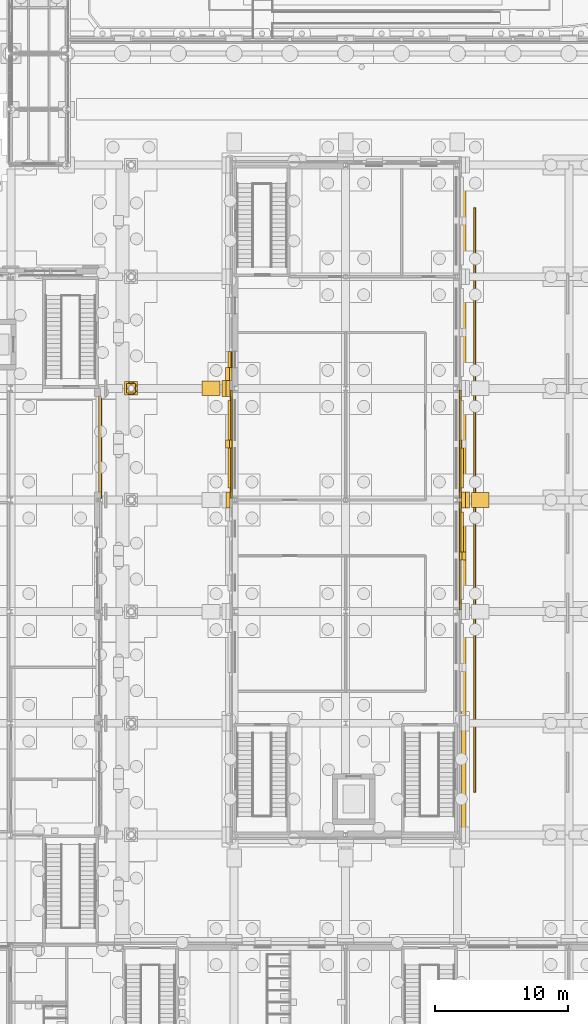
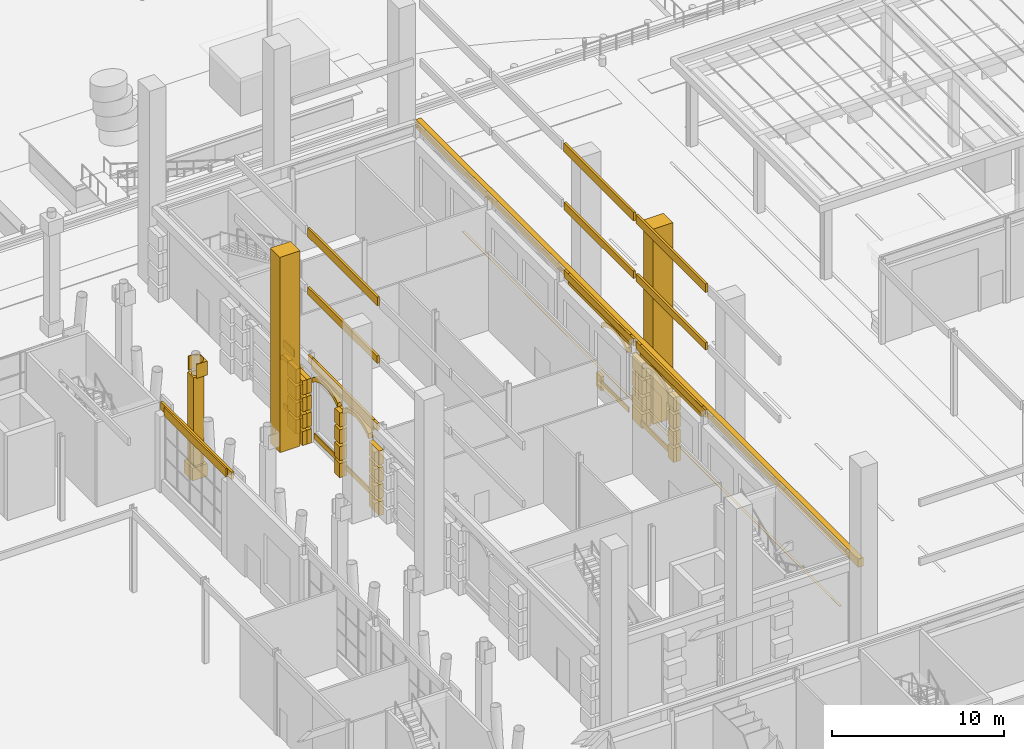
# One storey, part 153 of 222: 77 coverings.
"""IFC4 building model written with IfcOpenShell, lengths in metres."""

from ifc_helpers import new_model, si_unit, direction, frame, origin, origin_2d, place, context, subcontext, project, spatial, polyline, rectangle, outline, extrude, material, layer, layer_set, type_object, element, save


model = new_model("IFC4")

# Units and contexts
model_context = context("Model", 3, precision=1e-05, world=origin(), true_north=direction((0.0, 1.0)))
body_context = subcontext(model_context, "Body", "Model", "MODEL_VIEW")
ifc_project = project(units=[si_unit("LENGTHUNIT", "METRE"), si_unit("AREAUNIT", "SQUARE_METRE"), si_unit("VOLUMEUNIT", "CUBIC_METRE"), si_unit("PLANEANGLEUNIT", "RADIAN"), si_unit("MASSUNIT", "GRAM", prefix="KILO")], contexts=[model_context])

# Site, building, storey
site_placement = place(None, origin())
site = spatial("IfcSite", under=ifc_project, at=site_placement, CompositionType="ELEMENT")
building_placement = place(site_placement, origin())
building = spatial("IfcBuilding", under=site, at=building_placement, Name="Sava Quay Ferry Terminal", CompositionType="ELEMENT")
storey_placement = place(building_placement, origin())
storey = spatial("IfcBuildingStorey", under=building, at=storey_placement, Name="L00", CompositionType="ELEMENT", Elevation=0.0)

# Coverings
ifc_material_1 = material(Name="Limestone Mutalj", Category="masonry")
ifc_layer_1 = layer(ifc_material_1, 0.300048828125)
ifc_layer_set_1 = layer_set([ifc_layer_1], Name="Limestone Mutalj")
covering_type_1 = type_object("IfcCoveringType", Name="Arch band 280", PredefinedType="MOLDING", material=ifc_layer_set_1)
covering_1_placement = place(storey_placement, frame((109.64990234375, 80.10009765625, 4.5), z_axis=(1.0, 0.0, 0.0), x_axis=(0.0, 0.781923759715, 0.623374072281)))
element("IfcCovering", 1, at=covering_1_placement, inside=storey, type_object=covering_type_1, Name="Arch band", PredefinedType="MOLDING", context=body_context, shape_type="SweptSolid", body=[
    extrude(outline(polyline([(0.0, 0.0), (0.3834193343979185, -2.7755575615628914e-17), (0.7215244784021893, -0.05723109819999722), (1.025082280021732, -0.15779635007562864), (1.2992672310674753, -0.2952051775433192), (1.5469709593161145, -0.4658304928504826), (1.7683069472834811, -0.6691383063507048), (1.963352611809143, -0.9058147986260157), (2.129025425761005, -1.1793348664933856), (2.2601508973281392, -1.4961890880363895), (2.3457712791462266, -1.8701222168437752), (2.575427400990079, -1.5820550895462773), (2.464391132924196, -1.2400021530905694), (2.3185031406023544, -0.9416651690212947), (2.144155443320406, -0.6790263644116832), (1.9443918597906626, -0.4482677521537497), (1.7213817715315254, -0.24705983156291944), (1.475352143574657, -0.07433462334636409), (1.2058851115329956, 0.06899208413870384), (0.9110021932435386, 0.1804385992720936), (0.5876595699939753, 0.25618693494582), (0.22965612184385228, 0.288067127297498), (0.0, 0.0)])), origin(), (0.0, 0.0, -1.0), 0.300048828125),
])
for number, where, z_axis, x_axis, name in (
    (2, (109.64990234375, 84.89990234375, 4.5), (1.0, 0.0, 0.0), (0.0, 0.782171011383, 0.623063808091), "Arch band"),
    (3, (92.25, 84.89990234375, 4.5), (1.0, 0.0, 0.0), (0.0, 0.782171011383, 0.623063808091), "Arch band"),
):
    element("IfcCovering", number, at=place(storey_placement, frame(where, z_axis=z_axis, x_axis=x_axis)), inside=storey, type_object=covering_type_1, Name=name, PredefinedType="MOLDING", context=body_context, shape_type="SweptSolid", body=[
        extrude(outline(polyline([(0.0, 0.0), (0.38361026394291897, 0.0), (0.7217380868167081, -0.05709695615317717), (1.025335762122964, -0.1575417686500708), (1.2995752062374406, -0.29484180702510226), (1.5471556480034832, -0.4652167214188082), (1.768763237235288, -0.6685888227670815), (1.9639027838382344, -0.9051879153215514), (2.1296840992494017, -1.178642233754159), (2.260935267093035, -1.4954444085304834), (2.3465130341479634, -1.8691914242724625), (2.5760548521189226, -1.5810332074325149), (2.4650738487477915, -1.2391764648597015), (2.3190675077145073, -0.9408973828822342), (2.144615626614576, -0.6783277684654494), (1.9447605091984421, -0.4476484272178306), (1.7214796529038934, -0.24637688278489167), (1.4755724782005948, -0.07390141147585139), (1.2060486048993058, 0.06931837820603115), (0.9111214952818136, 0.18064789471874781), (0.5877488455976752, 0.2562679436707819), (0.22954181797095916, 0.2881582168399477), (0.0, 0.0)])), origin(), (0.0, 0.0, -1.0), 0.300048828125),
    ])
covering_2_placement = place(storey_placement, frame((92.25, 88.5, 4.5), z_axis=(1.0, 0.0, 0.0), x_axis=(0.0, 0.782171011383, 0.623063808091)))
element("IfcCovering", 4, at=covering_2_placement, inside=storey, type_object=covering_type_1, Name="Arch band", PredefinedType="MOLDING", context=body_context, shape_type="SweptSolid", body=[
    extrude(outline(polyline([(0.0, 0.0), (0.38361026394291897, 0.0), (0.7217380868167081, -0.05709695615317717), (1.0251448024033882, -0.15738965346254868), (1.2993842465178647, -0.29468969183758004), (1.5471556480034832, -0.4652167214188082), (1.768763237235288, -0.6685888227670815), (1.9639027838382344, -0.9051879153215514), (2.1294931395298256, -1.178490118566637), (2.2607443073734594, -1.4952922933429613), (2.3465130341479634, -1.8691914242724625), (2.5760548521189226, -1.5810332074325149), (2.4648828890282157, -1.2390243496721793), (2.318876547994931, -0.9407452676947119), (2.144615626614576, -0.6783277684654494), (1.9447605091984421, -0.4476484272178306), (1.7214796529038934, -0.24637688278489167), (1.475381518481019, -0.07374929628832916), (1.2058576451797298, 0.06947049339355327), (0.9111214952818136, 0.18064789471874781), (0.5877488455976752, 0.2562679436707819), (0.22954181797095916, 0.2881582168399477), (0.0, 0.0)])), origin(), (0.0, 0.0, -1.0), 0.300048828125),
])
covering_3_placement = place(storey_placement, frame((92.25, 93.96875, 3.89990234375), z_axis=(1.0, 0.0, 0.0), x_axis=(0.0, 0.766042844353, 0.642789515017)))
element("IfcCovering", 5, at=covering_3_placement, inside=storey, type_object=covering_type_1, Name="Arch band", PredefinedType="MOLDING", context=body_context, shape_type="SweptSolid", body=[
    extrude(outline(polyline([(0.0, 0.0), (0.1564834757725232, 0.0), (0.29290987034562144, -0.02428279209876255), (0.4140838634817109, -0.06636278232810475), (0.522890396081421, -0.12356147789515273), (0.6202108720586751, -0.19406883930165053), (0.706733197838947, -0.2778246842578833), (0.781769466996763, -0.374889195053566), (0.8444382756181996, -0.4870724111869544), (0.8918546828026273, -0.6170528254509224), (0.9192140087876302, -0.771316031813653), (1.14849024937354, -0.4980766285911245), (1.098846716569099, -0.3703705716175788), (1.0380911714997962, -0.2562870425513622), (0.9674188801474346, -0.15364195753662468), (0.8881454730732465, -0.0616270455684631), (0.8002107679875174, 0.020445599778596002), (0.7043026713157206, 0.09263616079426751), (0.5997332766323826, 0.15488445518883656), (0.48656276622721817, 0.20650257653682963), (0.3634755095389949, 0.24668225383334366), (0.2292762405859099, 0.27323940322252854), (0.0, 0.0)])), origin(), (0.0, 0.0, -1.0), 0.300048828125),
])
ifc_material_2 = material(Name="Limestone Mutalj", Category="masonry")
ifc_layer_2 = layer(ifc_material_2, 0.35009765625)
ifc_layer_set_2 = layer_set([ifc_layer_2], Name="Limestone Mutalj")
covering_type_2 = type_object("IfcCoveringType", Name="Base course 600", PredefinedType="MOLDING", material=ifc_layer_set_2)
covering_4_placement = place(storey_placement, frame((109.675048828125, 84.0, 5.39990234375), z_axis=(0.0, 0.0, 1.0), x_axis=(1.0, 0.0, 0.0)))
element("IfcCovering", 6, at=covering_4_placement, inside=storey, type_object=covering_type_2, Name="Base course O E", PredefinedType="MOLDING", context=body_context, shape_type="SweptSolid", body=[
    extrude(rectangle(XDim=0.35009765625, YDim=51.60009765625, at=origin_2d()), origin(), (0.0, 0.0, 1.0), 0.60009765625),
])
ifc_material_3 = material(Name="Copper patinated")
ifc_layer_3 = layer(ifc_material_3, 0.25)
ifc_layer_set_3 = layer_set([ifc_layer_3], Name="Copper patinated")
covering_type_3 = type_object("IfcCoveringType", Name="Copper spandrel panel 250", PredefinedType="CLADDING", material=ifc_layer_set_3)
covering_5_placement = place(storey_placement, frame((82.300048828125, 84.60009765625, 5.39990234375), z_axis=(0.0, 0.0, 1.0), x_axis=(0.0, 1.0, 0.0)))
element("IfcCovering", 7, at=covering_5_placement, inside=storey, type_object=covering_type_3, Name="Spandrel panel D-E", PredefinedType="CLADDING", context=body_context, shape_type="SweptSolid", body=[
    extrude(outline(polyline([(0.0, 0.0), (7.199951171875, 0.0), (7.199951171875, 0.60009765625), (0.0, 0.60009765625), (0.0, 0.0)])), frame((0.0, 0.125, 0.0), z_axis=(0.0, -1.0, 0.0), x_axis=(1.0, 0.0, 0.0)), (0.0, 0.0, 1.0), 0.25),
])
ifc_material_4 = material(Name="Limestone Mutalj", Category="masonry")
ifc_layer_4 = layer(ifc_material_4, 0.080078125)
ifc_layer_set_4 = layer_set([ifc_layer_4], Name="Limestone Mutalj")
covering_type_4 = type_object("IfcCoveringType", Name="Light stone cladding 80", PredefinedType="CLADDING", material=ifc_layer_set_4)
for number, where, z_axis, x_axis, name in (
    (8, (109.389892578125, 81.675048828125, 0.3798828125), (0.0, 0.0, 1.0), (1.0, 0.0, 0.0), "Light stone cladding"),
    (9, (109.389892578125, 86.324951171875, 0.3798828125), (0.0, 0.0, 1.0), (1.0, 0.0, 0.0), "Light stone cladding"),
    (10, (92.2099609375, 86.324951171875, 0.3798828125), (0.0, 0.0, 1.0), (1.0, 0.0, 0.0), "Light stone cladding"),
    (11, (92.2099609375, 90.074951171875, 0.3798828125), (0.0, 0.0, 1.0), (1.0, 0.0, 0.0), "Light stone cladding"),
):
    element("IfcCovering", number, at=place(storey_placement, frame(where, z_axis=z_axis, x_axis=x_axis)), inside=storey, type_object=covering_type_4, Name=name, PredefinedType="CLADDING", context=body_context, shape_type="SweptSolid", body=[
        extrude(rectangle(XDim=0.080078125, YDim=3.14990234375, at=origin_2d()), origin(), (0.0, 0.0, 1.0), 0.3701171875),
    ])
covering_6_placement = place(storey_placement, frame((92.2099609375, 94.568603515625, 0.3798828125), z_axis=(0.0, 0.0, 1.0), x_axis=(1.0, 0.0, 0.0)))
element("IfcCovering", 12, at=covering_6_placement, inside=storey, type_object=covering_type_4, Name="Light stone cladding", PredefinedType="CLADDING", context=body_context, shape_type="SweptSolid", body=[
    extrude(rectangle(XDim=0.080078125, YDim=1.199951171875, at=origin_2d()), origin(), (0.0, 0.0, 1.0), 0.3701171875),
])
covering_7_placement = place(storey_placement, frame((92.2099609375, 94.568603515625, 4.72998046875), z_axis=(0.0, 0.0, 1.0), x_axis=(1.0, 0.0, 0.0)))
element("IfcCovering", 13, at=covering_7_placement, inside=storey, type_object=covering_type_4, Name="Light stone cladding", PredefinedType="CLADDING", context=body_context, shape_type="SweptSolid", body=[
    extrude(rectangle(XDim=0.080078125, YDim=1.199951171875, at=origin_2d()), origin(), (0.0, 0.0, 1.0), 0.52001953125),
])
ifc_material_5 = material(Name="Limestone Mutalj", Category="masonry")
ifc_layer_5 = layer(ifc_material_5, 0.14990234375)
ifc_layer_set_5 = layer_set([ifc_layer_5], Name="Limestone Mutalj")
covering_type_5 = type_object("IfcCoveringType", Name="Limestone string course 150", PredefinedType="CLADDING", material=ifc_layer_set_5)
covering_8_placement = place(storey_placement, frame((0.0, 0.0, 5.25)))
element("IfcCovering", 14, at=covering_8_placement, inside=storey, type_object=covering_type_5, Name="String course O-W", PredefinedType="CLADDING", context=body_context, shape_type="SweptSolid", body=[
    extrude(outline(polyline([(92.25, 84.60009765625), (92.25, 91.800048828125), (92.10009765625, 91.800048828125), (92.10009765625, 84.60009765625), (92.25, 84.60009765625)])), origin(), (0.0, 0.0, 1.0), 0.75),
])
covering_9_placement = place(storey_placement, frame((0.0, 0.0, 5.25)))
element("IfcCovering", 15, at=covering_9_placement, inside=storey, type_object=covering_type_5, Name="String course O-E", PredefinedType="CLADDING", context=body_context, shape_type="SweptSolid", body=[
    extrude(outline(polyline([(109.35009765625, 76.199951171875), (109.35009765625, 83.39990234375), (109.5, 83.39990234375), (109.5, 76.199951171875), (109.35009765625, 76.199951171875)])), origin(), (0.0, 0.0, 1.0), 0.75),
])
covering_10_placement = place(storey_placement, frame((0.0, 0.0, 5.25)))
element("IfcCovering", 16, at=covering_10_placement, inside=storey, type_object=covering_type_5, Name="String course O-E", PredefinedType="CLADDING", context=body_context, shape_type="SweptSolid", body=[
    extrude(outline(polyline([(109.35009765625, 84.60009765625), (109.35009765625, 91.800048828125), (109.5, 91.800048828125), (109.5, 84.60009765625), (109.35009765625, 84.60009765625)])), origin(), (0.0, 0.0, 1.0), 0.75),
])
ifc_material_6 = material(Name="Limestone Mutalj", Category="masonry")
ifc_layer_6 = layer(ifc_material_6, 1.35009765625)
ifc_layer_set_6 = layer_set([ifc_layer_6], Name="Limestone Mutalj")
covering_type_6 = type_object("IfcCoveringType", Name="Portico pier 1100", PredefinedType="CLADDING", material=ifc_layer_set_6)
for number, where, z_axis, x_axis, name in (
    (17, (110.925048828125, 84.0, 0.0), (0.0, 0.0, 1.0), (1.0, 0.0, 0.0), "Portico pier"),
    (18, (90.675048828125, 92.39990234375, 0.0), (0.0, 0.0, 1.0), (1.0, 0.0, 0.0), "Portico pier"),
):
    element("IfcCovering", number, at=place(storey_placement, frame(where, z_axis=z_axis, x_axis=x_axis)), inside=storey, type_object=covering_type_6, Name=name, PredefinedType="CLADDING", context=body_context, shape_type="SweptSolid", body=[
        extrude(rectangle(XDim=1.35009765625, YDim=1.10009765625, at=origin_2d()), origin(), (0.0, 0.0, 1.0), 13.89990234375),
    ])
ifc_material_7 = material(Name="Limestone Mutalj", Category="masonry")
ifc_layer_7 = layer(ifc_material_7, 1.0)
ifc_layer_set_7 = layer_set([ifc_layer_7], Name="Limestone Mutalj")
covering_type_7 = type_object("IfcCoveringType", Name="Post pier capital 1000", PredefinedType="MOLDING", material=ifc_layer_set_7)
covering_11_placement = place(storey_placement, frame((0.0, 0.0, 7.199951171875)))
element("IfcCovering", 19, at=covering_11_placement, inside=storey, type_object=covering_type_7, Name="Post pier capital", PredefinedType="MOLDING", context=body_context, shape_type="SweptSolid", body=[
    extrude(outline(polyline([(85.14990234375, 91.89990234375), (85.14990234375, 92.89990234375), (84.425048828125, 92.89990234375), (84.43505859375, 92.87890625), (84.451904296875, 92.825927734375), (84.470947265625, 92.8349609375), (84.512939453125, 92.84912109375), (84.55908203125, 92.861083984375), (84.60498046875, 92.867919921875), (84.64892578125, 92.8701171875), (84.695068359375, 92.867919921875), (84.742919921875, 92.861083984375), (84.784912109375, 92.85009765625), (84.8291015625, 92.8349609375), (84.8720703125, 92.81396484375), (84.912109375, 92.7900390625), (84.948974609375, 92.762939453125), (84.98193359375, 92.73291015625), (85.012939453125, 92.698974609375), (85.0400390625, 92.662109375), (85.06494140625, 92.62109375), (85.0849609375, 92.5791015625), (85.10009765625, 92.534912109375), (85.111083984375, 92.492919921875), (85.117919921875, 92.445068359375), (85.1201171875, 92.39892578125), (85.117919921875, 92.35498046875), (85.111083984375, 92.30908203125), (85.10009765625, 92.264892578125), (85.083984375, 92.218994140625), (85.06396484375, 92.177978515625), (85.0400390625, 92.137939453125), (85.012939453125, 92.10107421875), (84.98291015625, 92.068115234375), (84.948974609375, 92.037109375), (84.912109375, 92.010009765625), (84.8720703125, 91.986083984375), (84.8291015625, 91.965087890625), (84.784912109375, 91.949951171875), (84.742919921875, 91.93896484375), (84.695068359375, 91.931884765625), (84.64892578125, 91.929931640625), (84.60498046875, 91.931884765625), (84.55908203125, 91.93896484375), (84.512939453125, 91.950927734375), (84.470947265625, 91.965087890625), (84.451904296875, 91.97412109375), (84.43505859375, 91.9208984375), (84.425048828125, 91.89990234375), (85.14990234375, 91.89990234375)])), origin(), (0.0, 0.0, 1.0), 1.0),
])
ifc_material_8 = material(Name="Limestone Mutalj", Category="masonry")
ifc_layer_8 = layer(ifc_material_8, 1.0)
ifc_layer_set_8 = layer_set([ifc_layer_8], Name="Limestone Mutalj")
covering_type_8 = type_object("IfcCoveringType", Name="Post pier plinth 1000", PredefinedType="MOLDING", material=ifc_layer_set_8)
covering_12_placement = place(storey_placement, origin())
element("IfcCovering", 20, at=covering_12_placement, inside=storey, type_object=covering_type_8, Name="Post pier plinth", PredefinedType="MOLDING", context=body_context, shape_type="SweptSolid", body=[
    extrude(outline(polyline([(84.14990234375, 91.89990234375), (85.14990234375, 91.89990234375), (85.14990234375, 92.89990234375), (84.14990234375, 92.89990234375), (84.14990234375, 91.89990234375)]), holes=[polyline([(84.89990234375, 92.449951171875), (84.905029296875, 92.39990234375), (84.89990234375, 92.35009765625), (84.885986328125, 92.302001953125), (84.862060546875, 92.258056640625), (84.830078125, 92.219970703125), (84.7919921875, 92.18798828125), (84.748046875, 92.1640625), (84.699951171875, 92.14990234375), (84.64990234375, 92.14501953125), (84.60009765625, 92.14990234375), (84.552001953125, 92.1640625), (84.508056640625, 92.18798828125), (84.469970703125, 92.219970703125), (84.43798828125, 92.258056640625), (84.4140625, 92.302001953125), (84.39990234375, 92.35009765625), (84.39501953125, 92.39990234375), (84.39990234375, 92.449951171875), (84.4140625, 92.498046875), (84.43798828125, 92.5419921875), (84.469970703125, 92.580078125), (84.508056640625, 92.612060546875), (84.552001953125, 92.635986328125), (84.60009765625, 92.64990234375), (84.64990234375, 92.655029296875), (84.699951171875, 92.64990234375), (84.748046875, 92.635986328125), (84.7919921875, 92.612060546875), (84.830078125, 92.580078125), (84.862060546875, 92.5419921875), (84.885986328125, 92.498046875), (84.89990234375, 92.449951171875)])]), origin(), (0.0, 0.0, 1.0), 0.89990234375),
])
ifc_material_9 = material(Name="Limestone Mutalj", Category="masonry")
ifc_layer_9 = layer(ifc_material_9, 0.699951171875)
ifc_layer_set_9 = layer_set([ifc_layer_9], Name="Limestone Mutalj")
covering_type_9 = type_object("IfcCoveringType", Name="Post pier shaft 700", PredefinedType="CLADDING", material=ifc_layer_set_9)
covering_13_placement = place(storey_placement, frame((0.0, 0.0, 0.89990234375)))
element("IfcCovering", 21, at=covering_13_placement, inside=storey, type_object=covering_type_9, Name="Post pier shaft", PredefinedType="CLADDING", context=body_context, shape_type="SweptSolid", body=[
    extrude(outline(polyline([(84.300048828125, 92.050048828125), (85.0, 92.050048828125), (85.0, 92.75), (84.300048828125, 92.75), (84.300048828125, 92.050048828125)]), holes=[polyline([(84.89990234375, 92.449951171875), (84.905029296875, 92.39990234375), (84.89990234375, 92.35009765625), (84.885986328125, 92.302001953125), (84.862060546875, 92.258056640625), (84.830078125, 92.219970703125), (84.7919921875, 92.18798828125), (84.748046875, 92.1640625), (84.699951171875, 92.14990234375), (84.64990234375, 92.14501953125), (84.60009765625, 92.14990234375), (84.552001953125, 92.1640625), (84.508056640625, 92.18798828125), (84.469970703125, 92.219970703125), (84.43798828125, 92.258056640625), (84.4140625, 92.302001953125), (84.39990234375, 92.35009765625), (84.39501953125, 92.39990234375), (84.39990234375, 92.449951171875), (84.4140625, 92.498046875), (84.43798828125, 92.5419921875), (84.469970703125, 92.580078125), (84.508056640625, 92.612060546875), (84.552001953125, 92.635986328125), (84.60009765625, 92.64990234375), (84.64990234375, 92.655029296875), (84.699951171875, 92.64990234375), (84.748046875, 92.635986328125), (84.7919921875, 92.612060546875), (84.830078125, 92.580078125), (84.862060546875, 92.5419921875), (84.885986328125, 92.498046875), (84.89990234375, 92.449951171875)])]), origin(), (0.0, 0.0, 1.0), 6.300048828125),
])
ifc_material_10 = material(Name="Road marking paint")
ifc_layer_10 = layer(ifc_material_10, 0.02001953125)
ifc_layer_set_10 = layer_set([ifc_layer_10], Name="Road marking paint")
covering_type_10 = type_object("IfcCoveringType", Name="Road marking line 150", PredefinedType="FLOORING", material=ifc_layer_set_10)
covering_14_placement = place(storey_placement, origin())
element("IfcCovering", 22, at=covering_14_placement, inside=storey, type_object=covering_type_10, Name="Road marking line", PredefinedType="FLOORING", context=body_context, shape_type="SweptSolid", body=[
    extrude(outline(polyline([(110.425048828125, 62.0), (110.574951171875, 62.0), (110.574951171875, 106.0), (110.425048828125, 106.0), (110.425048828125, 62.0)])), origin(), (0.0, 0.0, 1.0), 0.02001953125),
])
ifc_material_11 = material(Name="Limestone Mutalj", Category="masonry")
ifc_layer_11 = layer(ifc_material_11, 0.300048828125)
ifc_layer_set_11 = layer_set([ifc_layer_11], Name="Limestone Mutalj")
covering_type_11 = type_object("IfcCoveringType", Name="Rusticated course deepening 300", PredefinedType="CLADDING", material=ifc_layer_set_11)
for number, where, z_axis, x_axis, name in (
    (23, (109.949951171875, 84.0, 0.0), (0.0, 0.0, 1.0), (1.0, 0.0, 0.0), "Rusticated course deepening"),
    (24, (109.949951171875, 84.0, 1.199951171875), (0.0, 0.0, 1.0), (1.0, 0.0, 0.0), "Rusticated course deepening"),
    (25, (109.949951171875, 84.0, 2.39990234375), (0.0, 0.0, 1.0), (1.0, 0.0, 0.0), "Rusticated course deepening"),
    (26, (109.949951171875, 84.0, 3.60009765625), (0.0, 0.0, 1.0), (1.0, 0.0, 0.0), "Rusticated course deepening"),
    (27, (91.64990234375, 92.39990234375, 0.0), (0.0, 0.0, 1.0), (1.0, 0.0, 0.0), "Rusticated course deepening"),
    (28, (91.64990234375, 92.39990234375, 1.199951171875), (0.0, 0.0, 1.0), (1.0, 0.0, 0.0), "Rusticated course deepening"),
    (29, (91.64990234375, 92.39990234375, 2.39990234375), (0.0, 0.0, 1.0), (1.0, 0.0, 0.0), "Rusticated course deepening"),
    (30, (91.64990234375, 92.39990234375, 3.60009765625), (0.0, 0.0, 1.0), (1.0, 0.0, 0.0), "Rusticated course deepening"),
):
    element("IfcCovering", number, at=place(storey_placement, frame(where, z_axis=z_axis, x_axis=x_axis)), inside=storey, type_object=covering_type_11, Name=name, PredefinedType="CLADDING", context=body_context, shape_type="SweptSolid", body=[
        extrude(rectangle(XDim=0.300048828125, YDim=1.199951171875, at=origin_2d()), origin(), (0.0, 0.0, 1.0), 1.0),
    ])
for number, where, z_axis, x_axis, name in (
    (31, (109.699951171875, 79.800048828125, 0.0), (0.0, 0.0, 1.0), (1.0, 0.0, 0.0), "Rusticated course deepening"),
    (32, (109.699951171875, 79.800048828125, 1.199951171875), (0.0, 0.0, 1.0), (1.0, 0.0, 0.0), "Rusticated course deepening"),
    (33, (109.699951171875, 79.800048828125, 2.39990234375), (0.0, 0.0, 1.0), (1.0, 0.0, 0.0), "Rusticated course deepening"),
    (34, (109.699951171875, 79.800048828125, 3.60009765625), (0.0, 0.0, 1.0), (1.0, 0.0, 0.0), "Rusticated course deepening"),
    (35, (91.89990234375, 88.199951171875, 0.0), (0.0, 0.0, 1.0), (1.0, 0.0, 0.0), "Rusticated course deepening"),
    (36, (91.89990234375, 88.199951171875, 1.199951171875), (0.0, 0.0, 1.0), (1.0, 0.0, 0.0), "Rusticated course deepening"),
    (37, (91.89990234375, 88.199951171875, 2.39990234375), (0.0, 0.0, 1.0), (1.0, 0.0, 0.0), "Rusticated course deepening"),
    (38, (91.89990234375, 88.199951171875, 3.60009765625), (0.0, 0.0, 1.0), (1.0, 0.0, 0.0), "Rusticated course deepening"),
):
    element("IfcCovering", number, at=place(storey_placement, frame(where, z_axis=z_axis, x_axis=x_axis)), inside=storey, type_object=covering_type_11, Name=name, PredefinedType="CLADDING", context=body_context, shape_type="SweptSolid", body=[
        extrude(rectangle(XDim=0.300048828125, YDim=0.60009765625, at=origin_2d()), origin(), (0.0, 0.0, 1.0), 1.0),
    ])
for number, where, z_axis, x_axis, name in (
    (39, (91.89990234375, 93.484375, 0.0), (0.0, 0.0, 1.0), (1.0, 0.0, 0.0), "Rusticated course deepening"),
    (40, (91.89990234375, 93.484375, 1.199951171875), (0.0, 0.0, 1.0), (1.0, 0.0, 0.0), "Rusticated course deepening"),
    (41, (91.89990234375, 93.484375, 2.39990234375), (0.0, 0.0, 1.0), (1.0, 0.0, 0.0), "Rusticated course deepening"),
    (42, (91.89990234375, 93.484375, 3.60009765625), (0.0, 0.0, 1.0), (1.0, 0.0, 0.0), "Rusticated course deepening"),
):
    element("IfcCovering", number, at=place(storey_placement, frame(where, z_axis=z_axis, x_axis=x_axis)), inside=storey, type_object=covering_type_11, Name=name, PredefinedType="CLADDING", context=body_context, shape_type="SweptSolid", body=[
        extrude(rectangle(XDim=0.300048828125, YDim=0.96875, at=origin_2d()), origin(), (0.0, 0.0, 1.0), 1.0),
    ])
ifc_material_12 = material(Name="Limestone Mutalj", Category="masonry")
ifc_layer_12 = layer(ifc_material_12, 0.300048828125)
ifc_layer_set_12 = layer_set([ifc_layer_12], Name="Limestone Mutalj")
covering_type_12 = type_object("IfcCoveringType", Name="Rusticated pier course 300", PredefinedType="CLADDING", material=ifc_layer_set_12)
for number, where, z_axis, x_axis, name in (
    (43, (109.64990234375, 84.0, 0.0), (0.0, 0.0, 1.0), (1.0, 0.0, 0.0), "Rusticated pier course"),
    (44, (109.64990234375, 84.0, 1.199951171875), (0.0, 0.0, 1.0), (1.0, 0.0, 0.0), "Rusticated pier course"),
    (45, (109.64990234375, 84.0, 2.39990234375), (0.0, 0.0, 1.0), (1.0, 0.0, 0.0), "Rusticated pier course"),
    (46, (109.64990234375, 84.0, 3.60009765625), (0.0, 0.0, 1.0), (1.0, 0.0, 0.0), "Rusticated pier course"),
    (47, (91.949951171875, 84.0, 0.0), (0.0, 0.0, 1.0), (1.0, 0.0, 0.0), "Rusticated pier course"),
    (48, (91.949951171875, 84.0, 1.199951171875), (0.0, 0.0, 1.0), (1.0, 0.0, 0.0), "Rusticated pier course"),
    (49, (91.949951171875, 84.0, 2.39990234375), (0.0, 0.0, 1.0), (1.0, 0.0, 0.0), "Rusticated pier course"),
    (50, (91.949951171875, 84.0, 3.60009765625), (0.0, 0.0, 1.0), (1.0, 0.0, 0.0), "Rusticated pier course"),
    (51, (91.949951171875, 92.39990234375, 0.0), (0.0, 0.0, 1.0), (1.0, 0.0, 0.0), "Rusticated pier course"),
    (52, (91.949951171875, 92.39990234375, 1.199951171875), (0.0, 0.0, 1.0), (1.0, 0.0, 0.0), "Rusticated pier course"),
    (53, (91.949951171875, 92.39990234375, 2.39990234375), (0.0, 0.0, 1.0), (1.0, 0.0, 0.0), "Rusticated pier course"),
    (54, (91.949951171875, 92.39990234375, 3.60009765625), (0.0, 0.0, 1.0), (1.0, 0.0, 0.0), "Rusticated pier course"),
):
    element("IfcCovering", number, at=place(storey_placement, frame(where, z_axis=z_axis, x_axis=x_axis)), inside=storey, type_object=covering_type_12, Name=name, PredefinedType="CLADDING", context=body_context, shape_type="SweptSolid", body=[
        extrude(rectangle(XDim=0.300048828125, YDim=1.199951171875, at=origin_2d()), origin(), (0.0, 0.0, 1.0), 1.0),
    ])
ifc_material_13 = material(Name="Limestone Mutalj", Category="masonry")
ifc_layer_13 = layer(ifc_material_13, 0.199951171875)
ifc_layer_set_13 = layer_set([ifc_layer_13], Name="Limestone Mutalj")
covering_type_13 = type_object("IfcCoveringType", Name="Rusticated wall course 200", PredefinedType="CLADDING", material=ifc_layer_set_13)
for number, where, z_axis, x_axis, name in (
    (55, (109.449951171875, 79.800048828125, 0.0), (0.0, 0.0, 1.0), (1.0, 0.0, 0.0), "Rusticated wall course"),
    (56, (109.449951171875, 79.800048828125, 1.199951171875), (0.0, 0.0, 1.0), (1.0, 0.0, 0.0), "Rusticated wall course"),
    (57, (109.449951171875, 79.800048828125, 2.39990234375), (0.0, 0.0, 1.0), (1.0, 0.0, 0.0), "Rusticated wall course"),
    (58, (109.449951171875, 79.800048828125, 3.60009765625), (0.0, 0.0, 1.0), (1.0, 0.0, 0.0), "Rusticated wall course"),
    (59, (109.449951171875, 88.199951171875, 0.0), (0.0, 0.0, 1.0), (1.0, 0.0, 0.0), "Rusticated wall course"),
    (60, (92.14990234375, 88.199951171875, 0.0), (0.0, 0.0, 1.0), (1.0, 0.0, 0.0), "Rusticated wall course"),
    (61, (92.14990234375, 88.199951171875, 1.199951171875), (0.0, 0.0, 1.0), (1.0, 0.0, 0.0), "Rusticated wall course"),
    (62, (92.14990234375, 88.199951171875, 2.39990234375), (0.0, 0.0, 1.0), (1.0, 0.0, 0.0), "Rusticated wall course"),
    (63, (92.14990234375, 88.199951171875, 3.60009765625), (0.0, 0.0, 1.0), (1.0, 0.0, 0.0), "Rusticated wall course"),
):
    element("IfcCovering", number, at=place(storey_placement, frame(where, z_axis=z_axis, x_axis=x_axis)), inside=storey, type_object=covering_type_13, Name=name, PredefinedType="CLADDING", context=body_context, shape_type="SweptSolid", body=[
        extrude(rectangle(XDim=0.199951171875, YDim=0.60009765625, at=origin_2d()), origin(), (0.0, 0.0, 1.0), 1.0),
    ])
for number, where, z_axis, x_axis, name in (
    (64, (92.14990234375, 93.484375, 0.0), (0.0, 0.0, 1.0), (1.0, 0.0, 0.0), "Rusticated wall course"),
    (65, (92.14990234375, 93.484375, 1.199951171875), (0.0, 0.0, 1.0), (1.0, 0.0, 0.0), "Rusticated wall course"),
    (66, (92.14990234375, 93.484375, 2.39990234375), (0.0, 0.0, 1.0), (1.0, 0.0, 0.0), "Rusticated wall course"),
    (67, (92.14990234375, 93.484375, 3.60009765625), (0.0, 0.0, 1.0), (1.0, 0.0, 0.0), "Rusticated wall course"),
):
    element("IfcCovering", number, at=place(storey_placement, frame(where, z_axis=z_axis, x_axis=x_axis)), inside=storey, type_object=covering_type_13, Name=name, PredefinedType="CLADDING", context=body_context, shape_type="SweptSolid", body=[
        extrude(rectangle(XDim=0.199951171875, YDim=0.96875, at=origin_2d()), origin(), (0.0, 0.0, 1.0), 1.0),
    ])
ifc_material_14 = material(Name="Limestone Mutalj", Category="masonry")
ifc_layer_14 = layer(ifc_material_14, 0.14990234375)
ifc_layer_set_14 = layer_set([ifc_layer_14], Name="Limestone Mutalj")
covering_type_14 = type_object("IfcCoveringType", Name="Slab edge fascia 150", PredefinedType="CLADDING", material=ifc_layer_set_14)
covering_15_placement = place(storey_placement, frame((0.0, 0.0, 5.469970703125)))
element("IfcCovering", 68, at=covering_15_placement, inside=storey, type_object=covering_type_14, Name="Slab edge fascia", PredefinedType="CLADDING", context=body_context, shape_type="SweptSolid", body=[
    extrude(outline(polyline([(82.2880859375, 92.39990234375), (82.2880859375, 84.1201171875), (82.43798828125, 84.1201171875), (82.43798828125, 92.39990234375), (82.2880859375, 92.39990234375)])), origin(), (0.0, 0.0, 1.0), 0.530029296875),
])
covering_16_placement = place(storey_placement, frame((0.0, 0.0, 5.47998046875)))
element("IfcCovering", 69, at=covering_16_placement, inside=storey, type_object=covering_type_14, Name="Slab edge fascia", PredefinedType="CLADDING", context=body_context, shape_type="SweptSolid", body=[
    extrude(outline(polyline([(92.10205078125, 84.159912109375), (92.251953125, 84.159912109375), (92.251953125, 92.239990234375), (92.10205078125, 92.239990234375), (92.10205078125, 84.159912109375)])), origin(), (0.0, 0.0, 1.0), 0.52001953125),
])
covering_17_placement = place(storey_placement, frame((0.0, 0.0, 5.47998046875)))
element("IfcCovering", 70, at=covering_17_placement, inside=storey, type_object=covering_type_14, Name="Slab edge fascia", PredefinedType="CLADDING", context=body_context, shape_type="SweptSolid", body=[
    extrude(outline(polyline([(109.347900390625, 83.840087890625), (109.347900390625, 75.760009765625), (109.498046875, 75.760009765625), (109.498046875, 83.840087890625), (109.347900390625, 83.840087890625)])), origin(), (0.0, 0.0, 1.0), 0.52001953125),
])
covering_18_placement = place(storey_placement, frame((0.0, 0.0, 5.47998046875)))
element("IfcCovering", 71, at=covering_18_placement, inside=storey, type_object=covering_type_14, Name="Slab edge fascia", PredefinedType="CLADDING", context=body_context, shape_type="SweptSolid", body=[
    extrude(outline(polyline([(109.347900390625, 92.239990234375), (109.347900390625, 84.159912109375), (109.498046875, 84.159912109375), (109.498046875, 92.239990234375), (109.347900390625, 92.239990234375)])), origin(), (0.0, 0.0, 1.0), 0.52001953125),
])
covering_19_placement = place(storey_placement, frame((0.0, 0.0, 10.280029296875)))
element("IfcCovering", 72, at=covering_19_placement, inside=storey, type_object=covering_type_14, Name="Slab edge fascia", PredefinedType="CLADDING", context=body_context, shape_type="SweptSolid", body=[
    extrude(outline(polyline([(92.10205078125, 84.14990234375), (92.251953125, 84.14990234375), (92.251953125, 92.25), (92.10205078125, 92.25), (92.10205078125, 84.14990234375)])), origin(), (0.0, 0.0, 1.0), 0.52001953125),
])
covering_20_placement = place(storey_placement, frame((0.0, 0.0, 10.280029296875)))
element("IfcCovering", 73, at=covering_20_placement, inside=storey, type_object=covering_type_14, Name="Slab edge fascia", PredefinedType="CLADDING", context=body_context, shape_type="SweptSolid", body=[
    extrude(outline(polyline([(109.347900390625, 83.85009765625), (109.347900390625, 75.75), (109.498046875, 75.75), (109.498046875, 83.85009765625), (109.347900390625, 83.85009765625)])), origin(), (0.0, 0.0, 1.0), 0.52001953125),
])
covering_21_placement = place(storey_placement, frame((0.0, 0.0, 10.280029296875)))
element("IfcCovering", 74, at=covering_21_placement, inside=storey, type_object=covering_type_14, Name="Slab edge fascia", PredefinedType="CLADDING", context=body_context, shape_type="SweptSolid", body=[
    extrude(outline(polyline([(109.347900390625, 92.25), (109.347900390625, 84.14990234375), (109.498046875, 84.14990234375), (109.498046875, 92.25), (109.347900390625, 92.25)])), origin(), (0.0, 0.0, 1.0), 0.52001953125),
])
covering_22_placement = place(storey_placement, frame((0.0, 0.0, 14.393310546875)))
element("IfcCovering", 75, at=covering_22_placement, inside=storey, type_object=covering_type_14, Name="Slab edge fascia", PredefinedType="CLADDING", context=body_context, shape_type="SweptSolid", body=[
    extrude(outline(polyline([(92.10205078125, 84.1298828125), (92.251953125, 84.1298828125), (92.251953125, 92.27001953125), (92.10205078125, 92.27001953125), (92.10205078125, 84.1298828125)])), origin(), (0.0, 0.0, 1.0), 0.606689453125),
])
covering_23_placement = place(storey_placement, frame((0.0, 0.0, 14.393310546875)))
element("IfcCovering", 76, at=covering_23_placement, inside=storey, type_object=covering_type_14, Name="Slab edge fascia", PredefinedType="CLADDING", context=body_context, shape_type="SweptSolid", body=[
    extrude(outline(polyline([(109.347900390625, 83.8701171875), (109.347900390625, 75.72998046875), (109.498046875, 75.72998046875), (109.498046875, 83.8701171875), (109.347900390625, 83.8701171875)])), origin(), (0.0, 0.0, 1.0), 0.606689453125),
])
covering_24_placement = place(storey_placement, frame((0.0, 0.0, 14.393310546875)))
element("IfcCovering", 77, at=covering_24_placement, inside=storey, type_object=covering_type_14, Name="Slab edge fascia", PredefinedType="CLADDING", context=body_context, shape_type="SweptSolid", body=[
    extrude(outline(polyline([(109.347900390625, 92.27001953125), (109.347900390625, 84.1298828125), (109.498046875, 84.1298828125), (109.498046875, 92.27001953125), (109.347900390625, 92.27001953125)])), origin(), (0.0, 0.0, 1.0), 0.606689453125),
])

save(model, "model.ifc")
